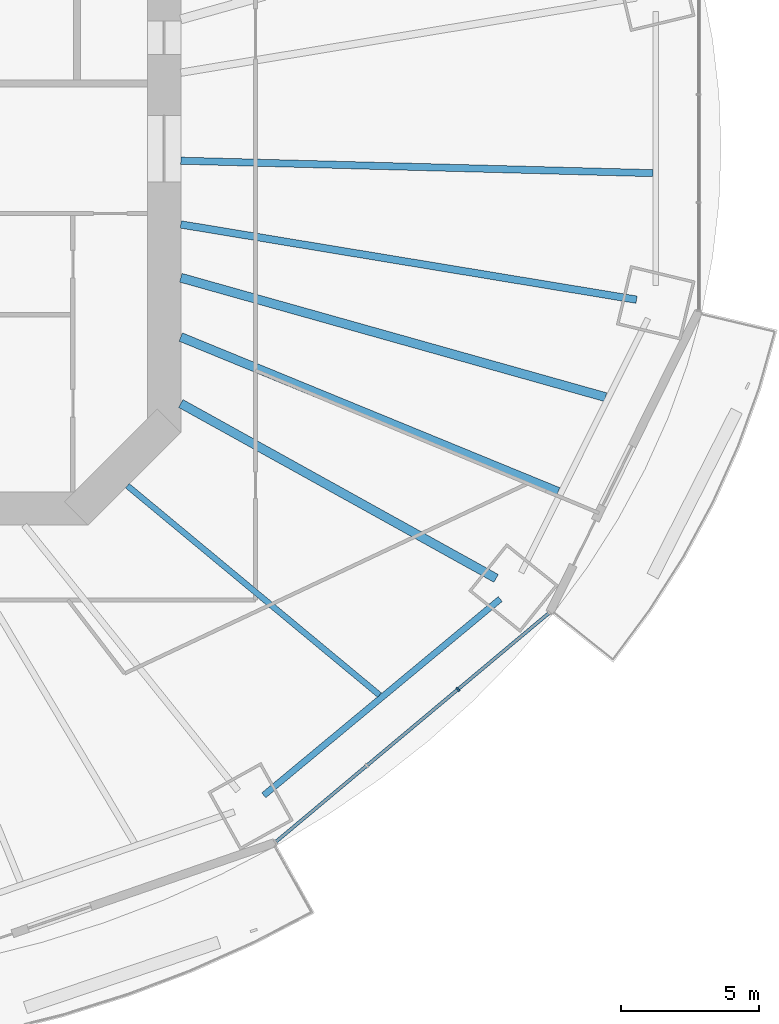
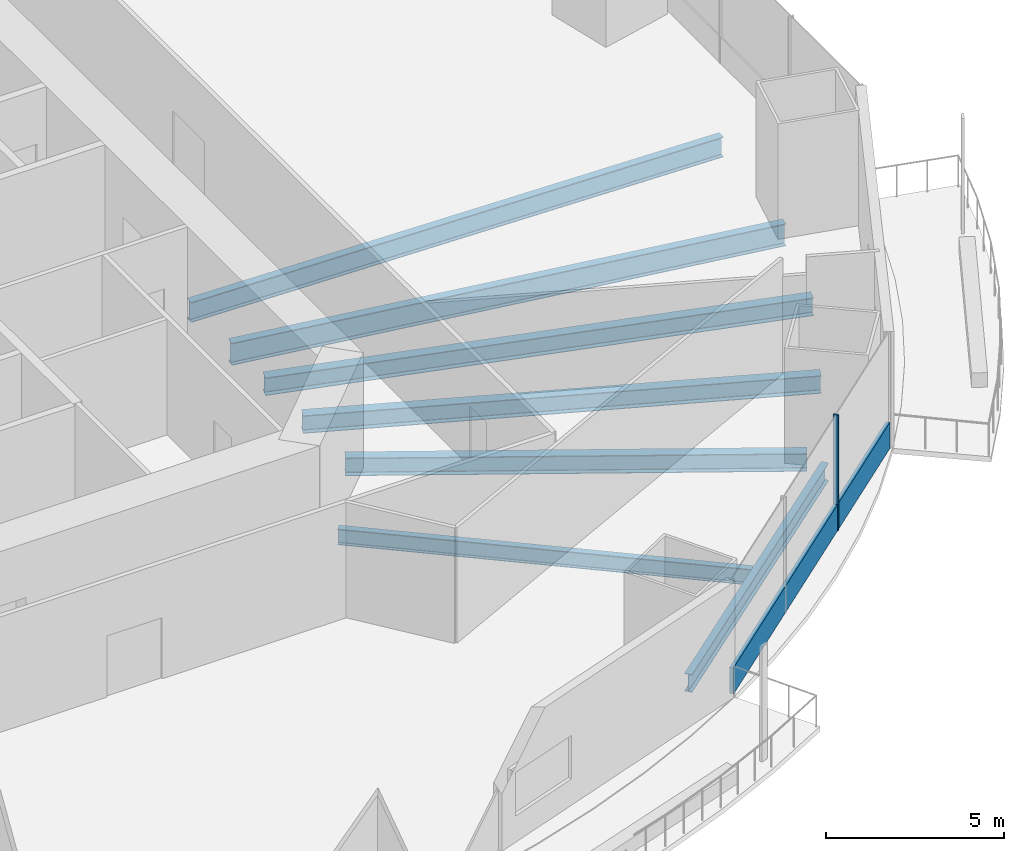
# One storey, part 5 of 23: 7 beams, 2 members, 1 element without a shape of its own.
"""IFC4 building model written with IfcOpenShell, lengths in metres."""

import ifcopenshell
import ifcopenshell.guid

model = None  # the IFC model being written
_history = None  # IfcOwnerHistory: only IFC2X3 demands one
_inside = {}  # id of a spatial element -> (the spatial element, [elements in it])
_under = {}  # id of a project, library or spatial element -> (it, [spatial elements below it])
_declared = {}  # id of a project -> (the project, [libraries it declares])
_typed = {}  # id of a type object -> (the type object, [elements of that type])
_made_of = {}  # id of a material, layer set ... -> (it, [elements and type objects made of it])


def new_model(schema):
    """Start an empty IFC model of exactly this schema.

    Asked for "IFC4X3", IfcOpenShell would pick the latest addendum, in which some entities
    have other attributes; the version numbers below select the first issue.
    IFC2X3 requires an IfcOwnerHistory on every rooted entity: one is made here for all.
    """
    global model, _history
    if schema == "IFC4X3":
        model = ifcopenshell.file(schema_version=(4, 3, 0, 0))
    else:
        model = ifcopenshell.file(schema=schema)
    _inside.clear()
    _under.clear()
    _declared.clear()
    _typed.clear()
    _made_of.clear()
    _history = None
    if model.schema == "IFC2X3":
        org = make("IfcOrganization", Name="unknown")
        user = make(
            "IfcPersonAndOrganization",
            ThePerson=make("IfcPerson", FamilyName="unknown"),
            TheOrganization=org,
        )
        app = make(
            "IfcApplication",
            ApplicationDeveloper=org,
            Version="unknown",
            ApplicationFullName="unknown",
            ApplicationIdentifier="unknown",
        )
        _history = make(
            "IfcOwnerHistory",
            OwningUser=user,
            OwningApplication=app,
            ChangeAction="ADDED",
            CreationDate=0,
        )
    return model


def make(cls, **values):
    """One entity of the class cls with the attributes given. An attribute that is None is left unset."""
    return model.create_entity(
        cls, **{name: value for name, value in values.items() if value is not None}
    )


def rooted(cls, **values):
    """An entity with a GlobalId (a new one), such as an element, a storey or a relation."""
    return make(cls, GlobalId=ifcopenshell.guid.new(), OwnerHistory=_history, **values)


def si_unit(unit_type, name, prefix=None):
    """IfcSIUnit, for example si_unit("LENGTHUNIT", "METRE", prefix="MILLI")."""
    return make("IfcSIUnit", UnitType=unit_type, Prefix=prefix, Name=name)


def assignment(units):
    """IfcUnitAssignment: the units of a project."""
    return None if units is None else make("IfcUnitAssignment", Units=units)


def point(xyz):
    """IfcCartesianPoint."""
    return None if xyz is None else make("IfcCartesianPoint", Coordinates=xyz)


def direction(xyz):
    """IfcDirection."""
    return None if xyz is None else make("IfcDirection", DirectionRatios=xyz)


def frame(location, z_axis=None, x_axis=None):
    """IfcAxis2Placement3D, a coordinate frame: its origin and axes. An axis left out is left unset."""
    return make(
        "IfcAxis2Placement3D",
        Location=point(location),
        Axis=direction(z_axis),
        RefDirection=direction(x_axis),
    )


def frame_2d(location, x_axis=None):
    """IfcAxis2Placement2D, a coordinate frame in the plane: its origin and x axis."""
    return make(
        "IfcAxis2Placement2D", Location=point(location), RefDirection=direction(x_axis)
    )


def origin():
    """The frame at (0, 0, 0) with its axes left unset."""
    return frame((0.0, 0.0, 0.0))


def origin_2d():
    """The frame at (0, 0) in the plane with its x axis left unset."""
    return frame_2d((0.0, 0.0))


def place(relative_to, where):
    """IfcLocalPlacement: puts the frame where relative to a parent placement (None: the world)."""
    return make(
        "IfcLocalPlacement", PlacementRelTo=relative_to, RelativePlacement=where
    )


def context(
    kind, dimensions, precision=None, world=None, true_north=None, identifier=None
):
    """IfcGeometricRepresentationContext, for example the 3D "Model" context."""
    return make(
        "IfcGeometricRepresentationContext",
        ContextIdentifier=identifier,
        ContextType=kind,
        CoordinateSpaceDimension=dimensions,
        Precision=precision,
        WorldCoordinateSystem=world,
        TrueNorth=true_north,
    )


def subcontext(parent, identifier, kind, view, scale=None):
    """IfcGeometricRepresentationSubContext, for example "Body" below "Model"."""
    return make(
        "IfcGeometricRepresentationSubContext",
        ContextIdentifier=identifier,
        ContextType=kind,
        ParentContext=parent,
        TargetScale=scale,
        TargetView=view,
    )


def project(units=None, contexts=None):
    """IfcProject with its units and contexts."""
    return rooted(
        "IfcProject",
        Name="project",
        RepresentationContexts=contexts,
        UnitsInContext=assignment(units),
    )


def spatial(cls, under=None, at=None, **own):
    """A site, building, storey or space (cls), placed at a placement, below another one or the project."""
    s = rooted(cls, ObjectPlacement=at, **own)
    if under is not None:
        _under.setdefault(under.id(), (under, []))[1].append(s)
    return s


def profile(cls, at=None, kind="AREA", **sizes):
    """A parametric profile (cls). Its sizes go by their IFC names, for example OverallWidth=200.0."""
    return make(cls, ProfileType=kind, Position=at, **sizes)


def rectangle(**sizes):
    """IfcRectangleProfileDef."""
    return profile("IfcRectangleProfileDef", **sizes)


def i_section(**sizes):
    """IfcIShapeProfileDef."""
    return profile("IfcIShapeProfileDef", **sizes)


def extrude(swept, where, along, depth):
    """IfcExtrudedAreaSolid: the profile swept, set in the frame where, extruded along a direction by depth."""
    return make(
        "IfcExtrudedAreaSolid",
        SweptArea=swept,
        Position=where,
        ExtrudedDirection=direction(along),
        Depth=depth,
    )


def shape(context_of_items, identifier, shape_type, items):
    """IfcShapeRepresentation: the items that make up one representation, for example the "Body"."""
    return make(
        "IfcShapeRepresentation",
        ContextOfItems=context_of_items,
        RepresentationIdentifier=identifier,
        RepresentationType=shape_type,
        Items=items,
    )


def material(Name=None, Category=None):
    """IfcMaterial."""
    return make("IfcMaterial", Name=Name, Category=Category)


def material_profile(
    of_material, cross_section, Name=None, Category=None, Priority=None
):
    """IfcMaterialProfile: a cross section and its material."""
    return make(
        "IfcMaterialProfile",
        Name=Name,
        Material=of_material,
        Profile=cross_section,
        Priority=Priority,
        Category=Category,
    )


def profile_set(profiles, Name=None, composite=None):
    """IfcMaterialProfileSet."""
    return make(
        "IfcMaterialProfileSet",
        Name=Name,
        MaterialProfiles=profiles,
        CompositeProfile=composite,
    )


def made_of(thing, what):
    """Note that an element or type object is made of a material, layer set ...; save() writes the relation."""
    if what is not None:
        _made_of.setdefault(what.id(), (what, []))[1].append(thing)
    return thing


def type_object(cls, material=None, **own):
    """A type object (cls), such as IfcWallType, which elements share."""
    return made_of(rooted(cls, **own), material)


def element(
    cls,
    number,
    at=None,
    inside=None,
    cuts=None,
    type_object=None,
    material=None,
    context=None,
    identifier="Body",
    shape_type=None,
    held_by="IfcProductDefinitionShape",
    body=None,
    shapes=None,
    **own,
):
    """One element of the class cls, such as IfcWall. Its Tag is "e" and its number.

    at: its placement. inside: the storey or other place that contains it. cuts: it is an
    opening in that element (IfcRelVoidsElement). A single representation is given by context,
    identifier, shape_type and body (its items); several are given by shapes. held_by: the class
    of the entity that holds the representations. save() writes the other relations.
    """
    e = rooted(cls, Tag="e%d" % number, ObjectPlacement=at, **own)
    if body is not None:
        shapes = [shape(context, identifier, shape_type, body)]
    if shapes is not None:
        e.Representation = make(held_by, Representations=shapes)
    if inside is not None:
        _inside.setdefault(inside.id(), (inside, []))[1].append(e)
    if cuts is not None:
        rooted(
            "IfcRelVoidsElement", RelatingBuildingElement=cuts, RelatedOpeningElement=e
        )
    if type_object is not None:
        _typed.setdefault(type_object.id(), (type_object, []))[1].append(e)
    return made_of(e, material)


def aggregate(whole, parts):
    """IfcRelAggregates: a whole, such as a stair, and the parts it consists of."""
    return rooted("IfcRelAggregates", RelatingObject=whole, RelatedObjects=parts)


def save(model, path):
    """Write the relations noted so far, then the file.

    IfcRelAggregates (storeys below a building ...), IfcRelContainedInSpatialStructure (elements
    in a storey), IfcRelDefinesByType, IfcRelAssociatesMaterial and IfcRelDeclares: one each for
    every whole, place, type object, material and project.
    """
    for whole, parts in _under.values():
        aggregate(whole, parts)
    for where, things in _inside.values():
        rooted(
            "IfcRelContainedInSpatialStructure",
            RelatedElements=things,
            RelatingStructure=where,
        )
    for kind, things in _typed.values():
        rooted("IfcRelDefinesByType", RelatedObjects=things, RelatingType=kind)
    for what, things in _made_of.values():
        rooted("IfcRelAssociatesMaterial", RelatedObjects=things, RelatingMaterial=what)
    for by, libraries in _declared.values():
        rooted("IfcRelDeclares", RelatingContext=by, RelatedDefinitions=libraries)
    model.write(path)


model = new_model("IFC4")

# Units and contexts
model_context = context("Model", 3, precision=1e-05, world=origin(), true_north=direction((0.0, 1.0)))
body_context = subcontext(model_context, "Body", "Model", "MODEL_VIEW")
ifc_project = project(units=[si_unit("LENGTHUNIT", "METRE"), si_unit("AREAUNIT", "SQUARE_METRE"), si_unit("VOLUMEUNIT", "CUBIC_METRE"), si_unit("PLANEANGLEUNIT", "RADIAN"), si_unit("MASSUNIT", "GRAM", prefix="KILO")], contexts=[model_context])

# Site, building, storey
site_placement = place(None, origin())
site = spatial("IfcSite", under=ifc_project, at=site_placement, CompositionType="ELEMENT")
building_placement = place(site_placement, origin())
building = spatial("IfcBuilding", under=site, at=building_placement, Name="Marenthal Gate Tower", CompositionType="ELEMENT")
storey_placement = place(building_placement, frame((0.0, 0.0, 66.199951171875)))
storey = spatial("IfcBuildingStorey", under=building, at=storey_placement, Name="L12", CompositionType="ELEMENT", Elevation=66.199951171875)

# Curtain wall, members
ifc_material_1 = material(Name="Aluminium and glass", Category="aluminium")
curtain_wall_type = type_object("IfcCurtainWallType", Name="Curtain wall typical low", PredefinedType="NOTDEFINED", material=ifc_material_1)
curtain_wall_placement = place(storey_placement, origin())
curtain_wall = element("IfcCurtainWall", 1, at=curtain_wall_placement, inside=storey, type_object=curtain_wall_type, Name="Curtain wall L12 bay 14", PredefinedType="NOTDEFINED")
ifc_material_2 = material(Name="Aluminium", Category="aluminium")
ifc_material_profile_1 = material_profile(ifc_material_2, rectangle(XDim=0.159912109375, YDim=0.06005859375, at=origin_2d()), Name="60x160 aluminium mullion")
ifc_profile_set_1 = profile_set([ifc_material_profile_1], Name="Aluminium")
member_type_1 = type_object("IfcMemberType", Name="Mullion 60x160 typical low", PredefinedType="MULLION", material=ifc_profile_set_1)
member_1_placement = place(storey_placement, frame((26.61083984375, -19.529052734375, 0.0), z_axis=(0.0, 0.0, 1.0), x_axis=(-0.642111737517, 0.766611059497, 0.0)))
member_1 = element("IfcMember", 2, at=member_1_placement, type_object=member_type_1, Name="Mullion L12 bay 14.3", PredefinedType="MULLION", context=body_context, shape_type="SweptSolid", body=[
    extrude(rectangle(XDim=0.159912109375, YDim=0.06005859375, at=origin_2d()), origin(), (0.0, 0.0, 1.0), 3.969970703125),
])
ifc_material_3 = material(Name="Aluminium", Category="aluminium")
ifc_material_profile_2 = material_profile(ifc_material_3, rectangle(XDim=0.1201171875, YDim=0.89990234375, at=origin_2d()), Name="120x900 aluminium transom")
ifc_profile_set_2 = profile_set([ifc_material_profile_2], Name="Aluminium")
member_type_2 = type_object("IfcMemberType", Name="Transom 120x900 typical low", PredefinedType="USERDEFINED", material=ifc_profile_set_2)
member_2_placement = place(storey_placement, frame((20.043701171875, -25.029541015625, 0.449951171875), z_axis=(0.766611330769, 0.642111413648, 0.0), x_axis=(-0.642111413648, 0.766611330769, 0.0)))
member_2 = element("IfcMember", 3, at=member_2_placement, type_object=member_type_2, Name="Transom L12 bay 14", ObjectType="TRANSOM", PredefinedType="USERDEFINED", context=body_context, shape_type="SweptSolid", body=[
    extrude(rectangle(XDim=0.1201171875, YDim=0.89990234375, at=origin_2d()), origin(), (0.0, 0.0, 1.0), 12.83447265625),
])
aggregate(curtain_wall, [member_1, member_2])

# Beams
ifc_material_4 = material(Name="Steel S355", Category="steel")
ifc_material_profile_3 = material_profile(ifc_material_4, i_section(OverallWidth=0.2119140625, OverallDepth=0.5439453125, WebThickness=0.01318359375, FlangeThickness=0.021240234375, FilletRadius=0.0126953125, at=origin_2d()), Name="W530X123")
ifc_profile_set_3 = profile_set([ifc_material_profile_3], Name="Steel S355")
beam_type_1 = type_object("IfcBeamType", Name="W530X123 beam", PredefinedType="BEAM", material=ifc_profile_set_3)
beam_1_placement = place(storey_placement, frame((23.77783203125, -19.73876953125, -0.451904296875), z_axis=(-0.769432069778, 0.638728651304, 0.0), x_axis=(-0.638728651304, -0.769432069778, 0.0)))
element("IfcBeam", 4, at=beam_1_placement, inside=storey, type_object=beam_type_1, Name="BM-L12-37", PredefinedType="BEAM", context=body_context, shape_type="SweptSolid", body=[
    extrude(i_section(OverallWidth=0.2119140625, OverallDepth=0.5439453125, WebThickness=0.01318359375, FlangeThickness=0.021240234375, FilletRadius=0.0126953125, at=origin_2d()), origin(), (0.0, 0.0, 1.0), 11.8369140625),
])
ifc_material_5 = material(Name="Steel S355", Category="steel")
ifc_material_profile_4 = material_profile(ifc_material_5, i_section(OverallWidth=0.22900390625, OverallDepth=0.612060546875, WebThickness=0.011962890625, FlangeThickness=0.01953125, FilletRadius=0.0126953125, at=origin_2d()), Name="W610X125")
ifc_profile_set_4 = profile_set([ifc_material_profile_4], Name="Steel S355")
beam_type_2 = type_object("IfcBeamType", Name="W610X125 beam", PredefinedType="BEAM", material=ifc_profile_set_4)
beam_2_placement = place(storey_placement, frame((19.596435546875, -23.358642578125, -0.48583984375), z_axis=(0.769424366687, 0.63873793057, 0.0), x_axis=(-0.63873793057, 0.769424366687, 0.0)))
element("IfcBeam", 5, at=beam_2_placement, inside=storey, type_object=beam_type_2, Name="BM-L12-54", PredefinedType="BEAM", context=body_context, shape_type="SweptSolid", body=[
    extrude(i_section(OverallWidth=0.22900390625, OverallDepth=0.612060546875, WebThickness=0.011962890625, FlangeThickness=0.01953125, FilletRadius=0.0126953125, at=origin_2d()), origin(), (0.0, 0.0, 1.0), 11.0986328125),
])
ifc_material_6 = material(Name="Steel S355", Category="steel")
ifc_material_profile_5 = material_profile(ifc_material_6, i_section(OverallWidth=0.324951171875, OverallDepth=0.612060546875, WebThickness=0.0126953125, FlangeThickness=0.01904296875, FilletRadius=0.0126953125, at=origin_2d()), Name="W610X155")
ifc_profile_set_5 = profile_set([ifc_material_profile_5], Name="Steel S355")
beam_type_3 = type_object("IfcBeamType", Name="W610X155 beam", PredefinedType="BEAM", material=ifc_profile_set_5)
beam_3_placement = place(storey_placement, frame((27.9873046875, -15.52392578125, -0.48583984375), z_axis=(-0.874477229212, 0.485066568204, 0.0), x_axis=(-0.485066568204, -0.874477229212, 0.0)))
element("IfcBeam", 6, at=beam_3_placement, inside=storey, type_object=beam_type_3, Name="BM-L12-15", PredefinedType="BEAM", context=body_context, shape_type="SweptSolid", body=[
    extrude(i_section(OverallWidth=0.324951171875, OverallDepth=0.612060546875, WebThickness=0.0126953125, FlangeThickness=0.01904296875, FilletRadius=0.0126953125, at=origin_2d()), origin(), (0.0, 0.0, 1.0), 13.021728515625),
])
beam_4_placement = place(storey_placement, frame((30.2294921875, -12.39892578125, -0.48583984375), z_axis=(-0.925197564596, 0.379485792178, 0.0), x_axis=(-0.379485792178, -0.925197564596, 0.0)))
element("IfcBeam", 7, at=beam_4_placement, inside=storey, type_object=beam_type_3, Name="BM-L12-38", PredefinedType="BEAM", context=body_context, shape_type="SweptSolid", body=[
    extrude(i_section(OverallWidth=0.324951171875, OverallDepth=0.612060546875, WebThickness=0.0126953125, FlangeThickness=0.01904296875, FilletRadius=0.0126953125, at=origin_2d()), origin(), (0.0, 0.0, 1.0), 14.7314453125),
])
beam_5_placement = place(storey_placement, frame((31.93701171875, -8.977294921875, -0.48583984375), z_axis=(-0.962687377479, 0.270615988521, 0.0), x_axis=(-0.270615988521, -0.962687377479, 0.0)))
element("IfcBeam", 8, at=beam_5_placement, inside=storey, type_object=beam_type_3, Name="BM-L12-39", PredefinedType="BEAM", context=body_context, shape_type="SweptSolid", body=[
    extrude(i_section(OverallWidth=0.324951171875, OverallDepth=0.612060546875, WebThickness=0.0126953125, FlangeThickness=0.01904296875, FilletRadius=0.0126953125, at=origin_2d()), origin(), (0.0, 0.0, 1.0), 15.931396484375),
])
ifc_material_7 = material(Name="Steel S355", Category="steel")
ifc_material_profile_6 = material_profile(ifc_material_7, i_section(OverallWidth=0.257080078125, OverallDepth=0.693115234375, WebThickness=0.014404296875, FlangeThickness=0.023681640625, FilletRadius=0.015380859375, at=origin_2d()), Name="W690X170")
ifc_profile_set_6 = profile_set([ifc_material_profile_6], Name="Steel S355")
beam_type_4 = type_object("IfcBeamType", Name="W690X170 beam", PredefinedType="BEAM", material=ifc_profile_set_6)
beam_6_placement = place(storey_placement, frame((33.647705078125, -0.888916015625, -0.5263671875), z_axis=(-0.999651487797, 0.026398919379, 0.0), x_axis=(-0.026398919379, -0.999651487797, 0.0)))
element("IfcBeam", 9, at=beam_6_placement, inside=storey, type_object=beam_type_4, Name="BM-L12-40", PredefinedType="BEAM", context=body_context, shape_type="SweptSolid", body=[
    extrude(i_section(OverallWidth=0.257080078125, OverallDepth=0.693115234375, WebThickness=0.014404296875, FlangeThickness=0.023681640625, FilletRadius=0.015380859375, at=origin_2d()), origin(), (0.0, 0.0, 1.0), 17.053466796875),
])
ifc_material_8 = material(Name="Steel S355", Category="steel")
ifc_material_profile_7 = material_profile(ifc_material_8, i_section(OverallWidth=0.26708984375, OverallDepth=0.761962890625, WebThickness=0.014404296875, FlangeThickness=0.021484375, FilletRadius=0.0166015625, at=origin_2d()), Name="W760X173")
ifc_profile_set_7 = profile_set([ifc_material_profile_7], Name="Steel S355")
beam_type_5 = type_object("IfcBeamType", Name="W760X173 beam", PredefinedType="BEAM", material=ifc_profile_set_7)
beam_7_placement = place(storey_placement, frame((33.06005859375, -5.458984375, -0.56103515625), z_axis=(-0.986638832435, 0.16292272503, 0.0), x_axis=(-0.16292272503, -0.986638832435, 0.0)))
element("IfcBeam", 10, at=beam_7_placement, inside=storey, type_object=beam_type_5, Name="BM-L12-16", PredefinedType="BEAM", context=body_context, shape_type="SweptSolid", body=[
    extrude(i_section(OverallWidth=0.26708984375, OverallDepth=0.761962890625, WebThickness=0.014404296875, FlangeThickness=0.021484375, FilletRadius=0.0166015625, at=origin_2d()), origin(), (0.0, 0.0, 1.0), 16.682861328125),
])

save(model, "model.ifc")
